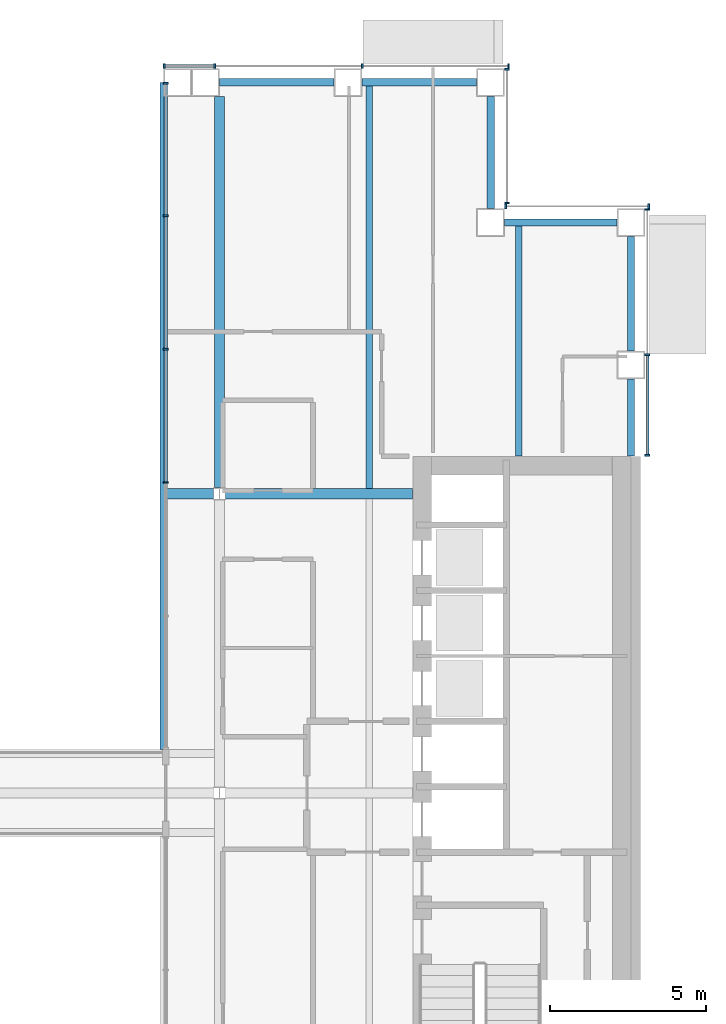
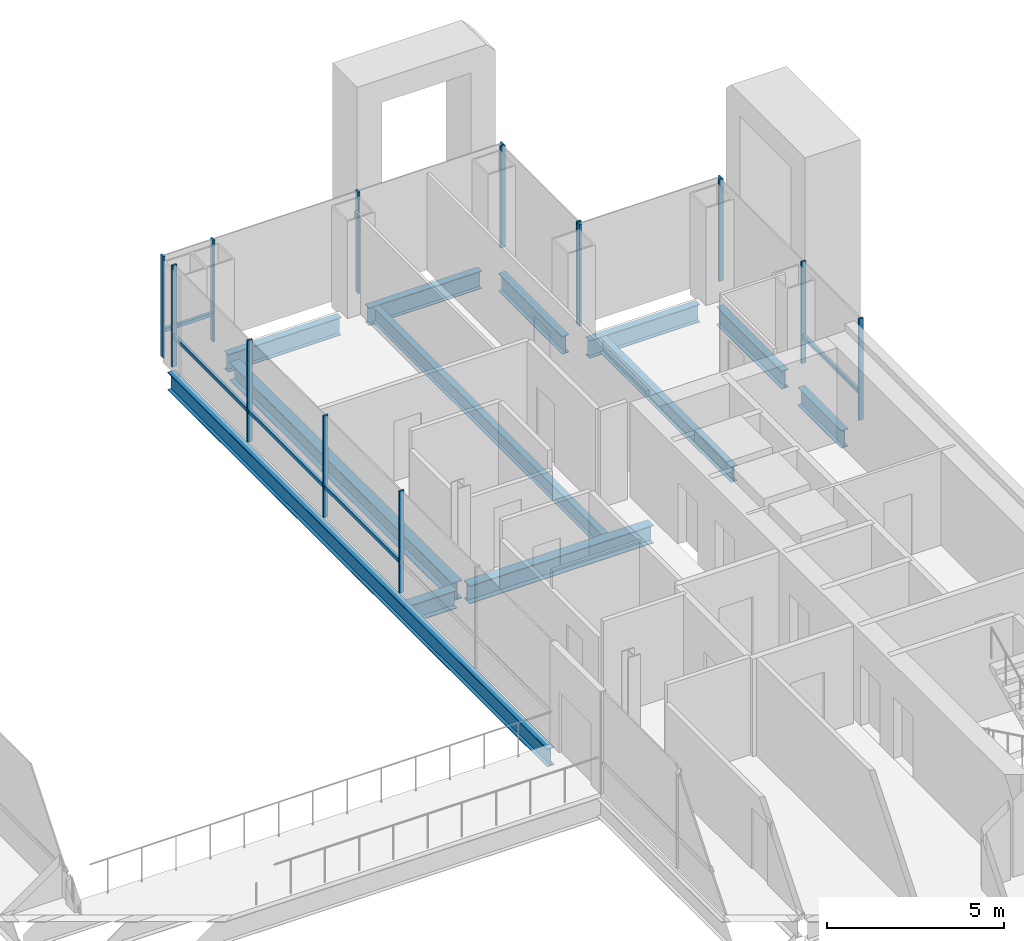
# One storey, part 7 of 17: 20 members, 12 beams, 5 elements without a shape of their own.
"""IFC4 building model written with IfcOpenShell, lengths in metres."""

from ifc_helpers import new_model, si_unit, direction, frame, origin, origin_2d, place, context, subcontext, project, spatial, rectangle, i_section, extrude, material, material_profile, profile_set, type_object, element, aggregate, save


model = new_model("IFC4")

# Units and contexts
model_context = context("Model", 3, precision=1e-05, world=origin(), true_north=direction((0.0, 1.0)))
body_context = subcontext(model_context, "Body", "Model", "MODEL_VIEW")
ifc_project = project(units=[si_unit("LENGTHUNIT", "METRE"), si_unit("AREAUNIT", "SQUARE_METRE"), si_unit("VOLUMEUNIT", "CUBIC_METRE"), si_unit("PLANEANGLEUNIT", "RADIAN"), si_unit("MASSUNIT", "GRAM", prefix="KILO")], contexts=[model_context])

# Site, building, storey
site_placement = place(None, origin())
site = spatial("IfcSite", under=ifc_project, at=site_placement, CompositionType="ELEMENT")
building_placement = place(site_placement, origin())
building = spatial("IfcBuilding", under=site, at=building_placement, Name="Cobrizo Arcos Hotel Tower", CompositionType="ELEMENT")
storey_placement = place(building_placement, frame((0.0, 0.0, 131.0)))
storey = spatial("IfcBuildingStorey", under=building, at=storey_placement, Name="L33", CompositionType="ELEMENT", Elevation=131.0)

# Curtain wall, members
ifc_material_1 = material(Name="Aluminium 6063-T6 anodised bronze", Category="aluminium")
curtain_wall_type_1 = type_object("IfcCurtainWallType", Name="CW-A guest facade", PredefinedType="NOTDEFINED", material=ifc_material_1)
curtain_wall_1_placement = place(storey_placement, origin())
curtain_wall_1 = element("IfcCurtainWall", 1, at=curtain_wall_1_placement, inside=storey, type_object=curtain_wall_type_1, Name="CW-A L33 E face", PredefinedType="NOTDEFINED")
ifc_material_profile_1 = material_profile(ifc_material_1, rectangle(XDim=0.14990234375, YDim=0.06005859375, at=origin_2d()), Name="CW-A mullion 150x60")
ifc_profile_set_1 = profile_set([ifc_material_profile_1], Name="Aluminium 6063-T6 anodised bronze")
member_type_1 = type_object("IfcMemberType", Name="CW-A mullion 150x60", PredefinedType="MULLION", material=ifc_profile_set_1)
member_1_placement = place(storey_placement, frame((23.324951171875, 10.830078125, 0.0), z_axis=(0.0, 0.0, 1.0), x_axis=(1.0, 0.0, 0.0)))
member_1 = element("IfcMember", 2, at=member_1_placement, type_object=member_type_1, Name="CW-A mullion 1", PredefinedType="MULLION", context=body_context, shape_type="SweptSolid", body=[
    extrude(rectangle(XDim=0.14990234375, YDim=0.06005859375, at=origin_2d()), origin(), (0.0, 0.0, 1.0), 3.5),
])
member_2_placement = place(storey_placement, frame((23.324951171875, 14.0625, 0.0), z_axis=(0.0, 0.0, 1.0), x_axis=(1.0, 0.0, 0.0)))
member_2 = element("IfcMember", 3, at=member_2_placement, type_object=member_type_1, Name="CW-A mullion 2", PredefinedType="MULLION", context=body_context, shape_type="SweptSolid", body=[
    extrude(rectangle(XDim=0.14990234375, YDim=0.06005859375, at=origin_2d()), origin(), (0.0, 0.0, 1.0), 3.5),
])
member_3_placement = place(storey_placement, frame((23.324951171875, 18.719970703125, 0.0), z_axis=(0.0, 0.0, 1.0), x_axis=(1.0, 0.0, 0.0)))
member_3 = element("IfcMember", 4, at=member_3_placement, type_object=member_type_1, Name="CW-A mullion 3", PredefinedType="MULLION", context=body_context, shape_type="SweptSolid", body=[
    extrude(rectangle(XDim=0.14990234375, YDim=0.06005859375, at=origin_2d()), origin(), (0.0, 0.0, 1.0), 3.5),
])

curtain_wall_2_placement = place(storey_placement, origin())
curtain_wall_2 = element("IfcCurtainWall", 5, at=curtain_wall_2_placement, inside=storey, type_object=curtain_wall_type_1, Name="CW-A L33 N face", PredefinedType="NOTDEFINED")
member_4_placement = place(storey_placement, frame((23.3701171875, 18.824951171875, 0.0), z_axis=(0.0, 0.0, 1.0), x_axis=(0.0, 1.0, 0.0)))
member_4 = element("IfcMember", 6, at=member_4_placement, type_object=member_type_1, Name="CW-A mullion 1", PredefinedType="MULLION", context=body_context, shape_type="SweptSolid", body=[
    extrude(rectangle(XDim=0.14990234375, YDim=0.06005859375, at=origin_2d()), origin(), (0.0, 0.0, 1.0), 3.5),
])
member_5_placement = place(storey_placement, frame((18.780029296875, 18.824951171875, 0.0), z_axis=(0.0, 0.0, 1.0), x_axis=(0.0, 1.0, 0.0)))
member_5 = element("IfcMember", 7, at=member_5_placement, type_object=member_type_1, Name="CW-A mullion 2", PredefinedType="MULLION", context=body_context, shape_type="SweptSolid", body=[
    extrude(rectangle(XDim=0.14990234375, YDim=0.06005859375, at=origin_2d()), origin(), (0.0, 0.0, 1.0), 3.5),
])
aggregate(curtain_wall_2, [member_4, member_5])

curtain_wall_3_placement = place(storey_placement, origin())
curtain_wall_3 = element("IfcCurtainWall", 8, at=curtain_wall_3_placement, inside=storey, type_object=curtain_wall_type_1, Name="CW-A L33 E face", PredefinedType="NOTDEFINED")
member_6_placement = place(storey_placement, frame((18.824951171875, 18.929931640625, 0.0), z_axis=(0.0, 0.0, 1.0), x_axis=(1.0, 0.0, 0.0)))
member_6 = element("IfcMember", 9, at=member_6_placement, type_object=member_type_1, Name="CW-A mullion 1", PredefinedType="MULLION", context=body_context, shape_type="SweptSolid", body=[
    extrude(rectangle(XDim=0.14990234375, YDim=0.06005859375, at=origin_2d()), origin(), (0.0, 0.0, 1.0), 3.5),
])
member_7_placement = place(storey_placement, frame((18.824951171875, 23.219970703125, 0.0), z_axis=(0.0, 0.0, 1.0), x_axis=(1.0, 0.0, 0.0)))
member_7 = element("IfcMember", 10, at=member_7_placement, type_object=member_type_1, Name="CW-A mullion 2", PredefinedType="MULLION", context=body_context, shape_type="SweptSolid", body=[
    extrude(rectangle(XDim=0.14990234375, YDim=0.06005859375, at=origin_2d()), origin(), (0.0, 0.0, 1.0), 3.5),
])
aggregate(curtain_wall_3, [member_6, member_7])

curtain_wall_4_placement = place(storey_placement, origin())
curtain_wall_4 = element("IfcCurtainWall", 11, at=curtain_wall_4_placement, inside=storey, type_object=curtain_wall_type_1, Name="CW-A L33 N face", PredefinedType="NOTDEFINED")
member_8_placement = place(storey_placement, frame((18.8701171875, 23.324951171875, 0.0), z_axis=(0.0, 0.0, 1.0), x_axis=(0.0, 1.0, 0.0)))
member_8 = element("IfcMember", 12, at=member_8_placement, type_object=member_type_1, Name="CW-A mullion 1", PredefinedType="MULLION", context=body_context, shape_type="SweptSolid", body=[
    extrude(rectangle(XDim=0.14990234375, YDim=0.06005859375, at=origin_2d()), origin(), (0.0, 0.0, 1.0), 3.5),
])
member_9_placement = place(storey_placement, frame((14.175048828125, 23.324951171875, 0.0), z_axis=(0.0, 0.0, 1.0), x_axis=(0.0, 1.0, 0.0)))
member_9 = element("IfcMember", 13, at=member_9_placement, type_object=member_type_1, Name="CW-A mullion 2", PredefinedType="MULLION", context=body_context, shape_type="SweptSolid", body=[
    extrude(rectangle(XDim=0.14990234375, YDim=0.06005859375, at=origin_2d()), origin(), (0.0, 0.0, 1.0), 3.5),
])
member_10_placement = place(storey_placement, frame((9.449951171875, 23.324951171875, 0.0), z_axis=(0.0, 0.0, 1.0), x_axis=(0.0, 1.0, 0.0)))
member_10 = element("IfcMember", 14, at=member_10_placement, type_object=member_type_1, Name="CW-A mullion 3", PredefinedType="MULLION", context=body_context, shape_type="SweptSolid", body=[
    extrude(rectangle(XDim=0.14990234375, YDim=0.06005859375, at=origin_2d()), origin(), (0.0, 0.0, 1.0), 3.5),
])
member_11_placement = place(storey_placement, frame((7.830078125, 23.324951171875, 0.0), z_axis=(0.0, 0.0, 1.0), x_axis=(0.0, 1.0, 0.0)))
member_11 = element("IfcMember", 15, at=member_11_placement, type_object=member_type_1, Name="CW-A mullion 4", PredefinedType="MULLION", context=body_context, shape_type="SweptSolid", body=[
    extrude(rectangle(XDim=0.14990234375, YDim=0.06005859375, at=origin_2d()), origin(), (0.0, 0.0, 1.0), 3.5),
])

# Member
ifc_material_profile_2 = material_profile(ifc_material_1, rectangle(XDim=0.10009765625, YDim=0.1201171875, at=origin_2d()), Name="CW-A transom 120x100")
ifc_profile_set_2 = profile_set([ifc_material_profile_2], Name="Aluminium 6063-T6 anodised bronze")
member_type_2 = type_object("IfcMemberType", Name="CW-A transom 120x100", PredefinedType="USERDEFINED", material=ifc_profile_set_2)
member_12_placement = place(storey_placement, frame((23.324951171875, 10.860107421875, 0.929931640625), z_axis=(0.0, 1.0, 0.0), x_axis=(-1.0, 0.0, 0.0)))
member_12 = element("IfcMember", 16, at=member_12_placement, type_object=member_type_2, Name="CW-A transom 1229", ObjectType="TRANSOM", PredefinedType="USERDEFINED", context=body_context, shape_type="SweptSolid", body=[
    extrude(rectangle(XDim=0.10009765625, YDim=0.1201171875, at=origin_2d()), origin(), (0.0, 0.0, 1.0), 3.17236328125),
])

aggregate(curtain_wall_1, [member_1, member_2, member_3, member_12])

member_13_placement = place(storey_placement, frame((9.419921875, 23.324951171875, 0.929931640625), z_axis=(-1.0, 0.0, 0.0), x_axis=(0.0, -1.0, 0.0)))
member_13 = element("IfcMember", 17, at=member_13_placement, type_object=member_type_2, Name="CW-A transom 1235", ObjectType="TRANSOM", PredefinedType="USERDEFINED", context=body_context, shape_type="SweptSolid", body=[
    extrude(rectangle(XDim=0.10009765625, YDim=0.1201171875, at=origin_2d()), origin(), (0.0, 0.0, 1.0), 1.559814453125),
])

aggregate(curtain_wall_4, [member_8, member_9, member_10, member_11, member_13])

# Curtain wall, members
curtain_wall_type_2 = type_object("IfcCurtainWallType", Name="CW-F void screen", PredefinedType="NOTDEFINED", material=ifc_material_1)
curtain_wall_5_placement = place(storey_placement, origin())
curtain_wall_5 = element("IfcCurtainWall", 18, at=curtain_wall_5_placement, inside=storey, type_object=curtain_wall_type_2, Name="CW-F L33 void screen B", PredefinedType="NOTDEFINED")
ifc_material_profile_3 = material_profile(ifc_material_1, rectangle(XDim=0.14990234375, YDim=0.06005859375, at=origin_2d()), Name="CW-F mullion 150x60")
ifc_profile_set_3 = profile_set([ifc_material_profile_3], Name="Aluminium 6063-T6 anodised bronze")
member_type_3 = type_object("IfcMemberType", Name="CW-F mullion 150x60", PredefinedType="MULLION", material=ifc_profile_set_3)
member_14_placement = place(storey_placement, frame((7.875, 9.9599609375, 0.0), z_axis=(0.0, 0.0, 1.0), x_axis=(1.0, 0.0, 0.0)))
member_14 = element("IfcMember", 19, at=member_14_placement, type_object=member_type_3, Name="CW-F mullion 3", PredefinedType="MULLION", context=body_context, shape_type="SweptSolid", body=[
    extrude(rectangle(XDim=0.14990234375, YDim=0.06005859375, at=origin_2d()), origin(), (0.0, 0.0, 1.0), 3.5),
])
member_15_placement = place(storey_placement, frame((7.875, 14.239990234375, 0.0), z_axis=(0.0, 0.0, 1.0), x_axis=(1.0, 0.0, 0.0)))
member_15 = element("IfcMember", 20, at=member_15_placement, type_object=member_type_3, Name="CW-F mullion 4", PredefinedType="MULLION", context=body_context, shape_type="SweptSolid", body=[
    extrude(rectangle(XDim=0.14990234375, YDim=0.06005859375, at=origin_2d()), origin(), (0.0, 0.0, 1.0), 3.5),
])
member_16_placement = place(storey_placement, frame((7.875, 18.52001953125, 0.0), z_axis=(0.0, 0.0, 1.0), x_axis=(1.0, 0.0, 0.0)))
member_16 = element("IfcMember", 21, at=member_16_placement, type_object=member_type_3, Name="CW-F mullion 5", PredefinedType="MULLION", context=body_context, shape_type="SweptSolid", body=[
    extrude(rectangle(XDim=0.14990234375, YDim=0.06005859375, at=origin_2d()), origin(), (0.0, 0.0, 1.0), 3.5),
])
member_17_placement = place(storey_placement, frame((7.875, 22.77001953125, 0.0), z_axis=(0.0, 0.0, 1.0), x_axis=(1.0, 0.0, 0.0)))
member_17 = element("IfcMember", 22, at=member_17_placement, type_object=member_type_3, Name="CW-F mullion 6", PredefinedType="MULLION", context=body_context, shape_type="SweptSolid", body=[
    extrude(rectangle(XDim=0.14990234375, YDim=0.06005859375, at=origin_2d()), origin(), (0.0, 0.0, 1.0), 3.5),
])
ifc_material_profile_4 = material_profile(ifc_material_1, rectangle(XDim=0.10009765625, YDim=0.1201171875, at=origin_2d()), Name="CW-F transom 120x100")
ifc_profile_set_4 = profile_set([ifc_material_profile_4], Name="Aluminium 6063-T6 anodised bronze")
member_type_4 = type_object("IfcMemberType", Name="CW-F transom 120x100", PredefinedType="USERDEFINED", material=ifc_profile_set_4)
member_18_placement = place(storey_placement, frame((7.875, 9.989990234375, 1.050048828125), z_axis=(0.0, 1.0, 0.0), x_axis=(-1.0, 0.0, 0.0)))
member_18 = element("IfcMember", 23, at=member_18_placement, type_object=member_type_4, Name="CW-F transom 2653", ObjectType="TRANSOM", PredefinedType="USERDEFINED", context=body_context, shape_type="SweptSolid", body=[
    extrude(rectangle(XDim=0.10009765625, YDim=0.1201171875, at=origin_2d()), origin(), (0.0, 0.0, 1.0), 4.219970703125),
])
member_19_placement = place(storey_placement, frame((7.875, 14.27001953125, 1.050048828125), z_axis=(0.0, 1.0, 0.0), x_axis=(-1.0, 0.0, 0.0)))
member_19 = element("IfcMember", 24, at=member_19_placement, type_object=member_type_4, Name="CW-F transom 2654", ObjectType="TRANSOM", PredefinedType="USERDEFINED", context=body_context, shape_type="SweptSolid", body=[
    extrude(rectangle(XDim=0.10009765625, YDim=0.1201171875, at=origin_2d()), origin(), (0.0, 0.0, 1.0), 4.219970703125),
])
member_20_placement = place(storey_placement, frame((7.875, 18.550048828125, 1.050048828125), z_axis=(0.0, 1.0, 0.0), x_axis=(-1.0, 0.0, 0.0)))
member_20 = element("IfcMember", 25, at=member_20_placement, type_object=member_type_4, Name="CW-F transom 2655", ObjectType="TRANSOM", PredefinedType="USERDEFINED", context=body_context, shape_type="SweptSolid", body=[
    extrude(rectangle(XDim=0.10009765625, YDim=0.1201171875, at=origin_2d()), origin(), (0.0, 0.0, 1.0), 4.18994140625),
])
aggregate(curtain_wall_5, [member_14, member_15, member_16, member_17, member_18, member_19, member_20])

# Beams
ifc_material_2 = material(Name="Steel ASTM A992 Grade 50", Category="steel")
ifc_material_profile_5 = material_profile(ifc_material_2, i_section(OverallWidth=0.209228515625, OverallDepth=0.533447265625, WebThickness=0.01025390625, FlangeThickness=0.015625, at=origin_2d()), Name="W21X62")
ifc_profile_set_5 = profile_set([ifc_material_profile_5], Name="Steel ASTM A992 Grade 50")
beam_type_1 = type_object("IfcBeamType", Name="W21X62 joist", PredefinedType="JOIST", material=ifc_profile_set_5)
beam_1_placement = place(storey_placement, frame((14.39990234375, 9.763916015625, -0.416748046875), z_axis=(0.0, 1.0, 0.0), x_axis=(-1.0, 0.0, 0.0)))
element("IfcBeam", 26, at=beam_1_placement, inside=storey, type_object=beam_type_1, Name="Floor joist J1, L33, no. 010", PredefinedType="JOIST", context=body_context, shape_type="SweptSolid", body=[
    extrude(i_section(OverallWidth=0.209228515625, OverallDepth=0.533447265625, WebThickness=0.01025390625, FlangeThickness=0.015625, at=origin_2d()), origin(), (0.0, 0.0, 1.0), 12.946044921875),
])
beam_2_placement = place(storey_placement, frame((19.199951171875, 10.81005859375, -0.416748046875), z_axis=(0.0, 1.0, 0.0), x_axis=(-1.0, 0.0, 0.0)))
element("IfcBeam", 27, at=beam_2_placement, inside=storey, type_object=beam_type_1, Name="Floor joist J1, L33, no. 012", PredefinedType="JOIST", context=body_context, shape_type="SweptSolid", body=[
    extrude(i_section(OverallWidth=0.209228515625, OverallDepth=0.533447265625, WebThickness=0.01025390625, FlangeThickness=0.015625, at=origin_2d()), origin(), (0.0, 0.0, 1.0), 7.39990234375),
])
ifc_material_profile_6 = material_profile(ifc_material_2, i_section(OverallWidth=0.32763671875, OverallDepth=0.622314453125, WebThickness=0.015380859375, FlangeThickness=0.0244140625, at=origin_2d()), Name="W24X131")
ifc_profile_set_6 = profile_set([ifc_material_profile_6], Name="Steel ASTM A992 Grade 50")
beam_type_2 = type_object("IfcBeamType", Name="W24X131 girder", PredefinedType="BEAM", material=ifc_profile_set_6)
beam_3_placement = place(storey_placement, frame((7.889892578125, 9.60009765625, -0.461181640625), z_axis=(1.0, 0.0, 0.0), x_axis=(0.0, 1.0, 0.0)))
element("IfcBeam", 28, at=beam_3_placement, inside=storey, type_object=beam_type_2, Name="Floor girder G1, L33, no. 010", PredefinedType="BEAM", context=body_context, shape_type="SweptSolid", body=[
    extrude(i_section(OverallWidth=0.32763671875, OverallDepth=0.622314453125, WebThickness=0.015380859375, FlangeThickness=0.0244140625, at=origin_2d()), origin(), (0.0, 0.0, 1.0), 1.5107421875),
])
beam_4_placement = place(storey_placement, frame((9.79931640625, 9.60009765625, -0.461181640625), z_axis=(1.0, 0.0, 0.0), x_axis=(0.0, 1.0, 0.0)))
element("IfcBeam", 29, at=beam_4_placement, inside=storey, type_object=beam_type_2, Name="Floor girder G1, L33, no. 011", PredefinedType="BEAM", context=body_context, shape_type="SweptSolid", body=[
    extrude(i_section(OverallWidth=0.32763671875, OverallDepth=0.622314453125, WebThickness=0.015380859375, FlangeThickness=0.0244140625, at=origin_2d()), origin(), (0.0, 0.0, 1.0), 5.99072265625),
])
beam_5_placement = place(storey_placement, frame((9.60009765625, 9.79931640625, -0.461181640625), z_axis=(0.0, 1.0, 0.0), x_axis=(-1.0, 0.0, 0.0)))
element("IfcBeam", 30, at=beam_5_placement, inside=storey, type_object=beam_type_2, Name="Floor girder G1, L33, no. 019", PredefinedType="BEAM", context=body_context, shape_type="SweptSolid", body=[
    extrude(i_section(OverallWidth=0.32763671875, OverallDepth=0.622314453125, WebThickness=0.015380859375, FlangeThickness=0.0244140625, at=origin_2d()), origin(), (0.0, 0.0, 1.0), 12.55078125),
])
ifc_material_profile_7 = material_profile(ifc_material_2, i_section(OverallWidth=0.23046875, OverallDepth=0.6171875, WebThickness=0.01318359375, FlangeThickness=0.022216796875, at=origin_2d()), Name="W24X94")
ifc_profile_set_7 = profile_set([ifc_material_profile_7], Name="Steel ASTM A992 Grade 50")
beam_type_3 = type_object("IfcBeamType", Name="W24X94 spandrel", PredefinedType="SPANDREL", material=ifc_profile_set_7)
beam_6_placement = place(storey_placement, frame((18.75, 18.300048828125, -0.45849609375), z_axis=(1.0, 0.0, 0.0), x_axis=(0.0, 1.0, 0.0)))
element("IfcBeam", 31, at=beam_6_placement, inside=storey, type_object=beam_type_3, Name="Spandrel beam W24X94, L33, no. 001", PredefinedType="SPANDREL", context=body_context, shape_type="SweptSolid", body=[
    extrude(i_section(OverallWidth=0.23046875, OverallDepth=0.6171875, WebThickness=0.01318359375, FlangeThickness=0.022216796875, at=origin_2d()), origin(), (0.0, 0.0, 1.0), 3.60009765625),
])
beam_7_placement = place(storey_placement, frame((22.800048828125, 17.85009765625, -0.45849609375), z_axis=(0.0, -1.0, 0.0), x_axis=(1.0, 0.0, 0.0)))
element("IfcBeam", 32, at=beam_7_placement, inside=storey, type_object=beam_type_3, Name="Spandrel beam W24X94, L33, no. 002", PredefinedType="SPANDREL", context=body_context, shape_type="SweptSolid", body=[
    extrude(i_section(OverallWidth=0.23046875, OverallDepth=0.6171875, WebThickness=0.01318359375, FlangeThickness=0.022216796875, at=origin_2d()), origin(), (0.0, 0.0, 1.0), 3.675048828125),
])
beam_8_placement = place(storey_placement, frame((22.800048828125, 13.27490234375, -0.45849609375), z_axis=(0.0, -1.0, 0.0), x_axis=(1.0, 0.0, 0.0)))
element("IfcBeam", 33, at=beam_8_placement, inside=storey, type_object=beam_type_3, Name="Spandrel beam W24X94, L33, no. 003", PredefinedType="SPANDREL", context=body_context, shape_type="SweptSolid", body=[
    extrude(i_section(OverallWidth=0.23046875, OverallDepth=0.6171875, WebThickness=0.01318359375, FlangeThickness=0.022216796875, at=origin_2d()), origin(), (0.0, 0.0, 1.0), 2.46484375),
])
beam_9_placement = place(storey_placement, frame((7.800048828125, 1.39990234375, -0.45849609375), z_axis=(0.0, 1.0, 0.0), x_axis=(-1.0, 0.0, 0.0)))
element("IfcBeam", 34, at=beam_9_placement, inside=storey, type_object=beam_type_3, Name="Spandrel beam W24X94, L33, no. 025", PredefinedType="SPANDREL", context=body_context, shape_type="SweptSolid", body=[
    extrude(i_section(OverallWidth=0.23046875, OverallDepth=0.6171875, WebThickness=0.01318359375, FlangeThickness=0.022216796875, at=origin_2d()), origin(), (0.0, 0.0, 1.0), 21.400146484375),
])
beam_10_placement = place(storey_placement, frame((9.60009765625, 22.800048828125, -0.45849609375), z_axis=(1.0, 0.0, 0.0), x_axis=(0.0, 1.0, 0.0)))
element("IfcBeam", 35, at=beam_10_placement, inside=storey, type_object=beam_type_3, Name="Spandrel beam W24X94, L33, no. 026", PredefinedType="SPANDREL", context=body_context, shape_type="SweptSolid", body=[
    extrude(i_section(OverallWidth=0.23046875, OverallDepth=0.6171875, WebThickness=0.01318359375, FlangeThickness=0.022216796875, at=origin_2d()), origin(), (0.0, 0.0, 1.0), 3.6748046875),
])
beam_11_placement = place(storey_placement, frame((14.175048828125, 22.800048828125, -0.45849609375), z_axis=(1.0, 0.0, 0.0), x_axis=(0.0, 1.0, 0.0)))
element("IfcBeam", 36, at=beam_11_placement, inside=storey, type_object=beam_type_3, Name="Spandrel beam W24X94, L33, no. 027", PredefinedType="SPANDREL", context=body_context, shape_type="SweptSolid", body=[
    extrude(i_section(OverallWidth=0.23046875, OverallDepth=0.6171875, WebThickness=0.01318359375, FlangeThickness=0.022216796875, at=origin_2d()), origin(), (0.0, 0.0, 1.0), 3.675048828125),
])
beam_12_placement = place(storey_placement, frame((18.300048828125, 22.35009765625, -0.45849609375), z_axis=(0.0, -1.0, 0.0), x_axis=(1.0, 0.0, 0.0)))
element("IfcBeam", 37, at=beam_12_placement, inside=storey, type_object=beam_type_3, Name="Spandrel beam W24X94, L33, no. 028", PredefinedType="SPANDREL", context=body_context, shape_type="SweptSolid", body=[
    extrude(i_section(OverallWidth=0.23046875, OverallDepth=0.6171875, WebThickness=0.01318359375, FlangeThickness=0.022216796875, at=origin_2d()), origin(), (0.0, 0.0, 1.0), 3.60009765625),
])

save(model, "model.ifc")
